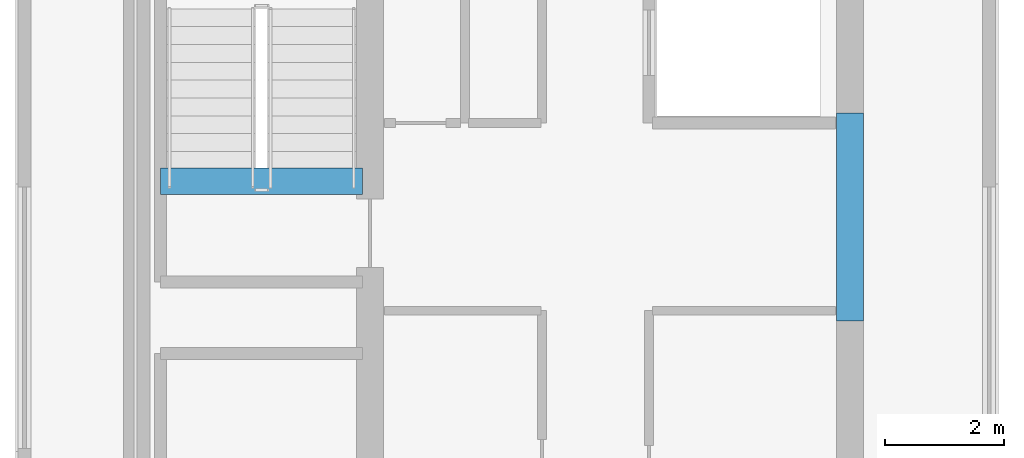
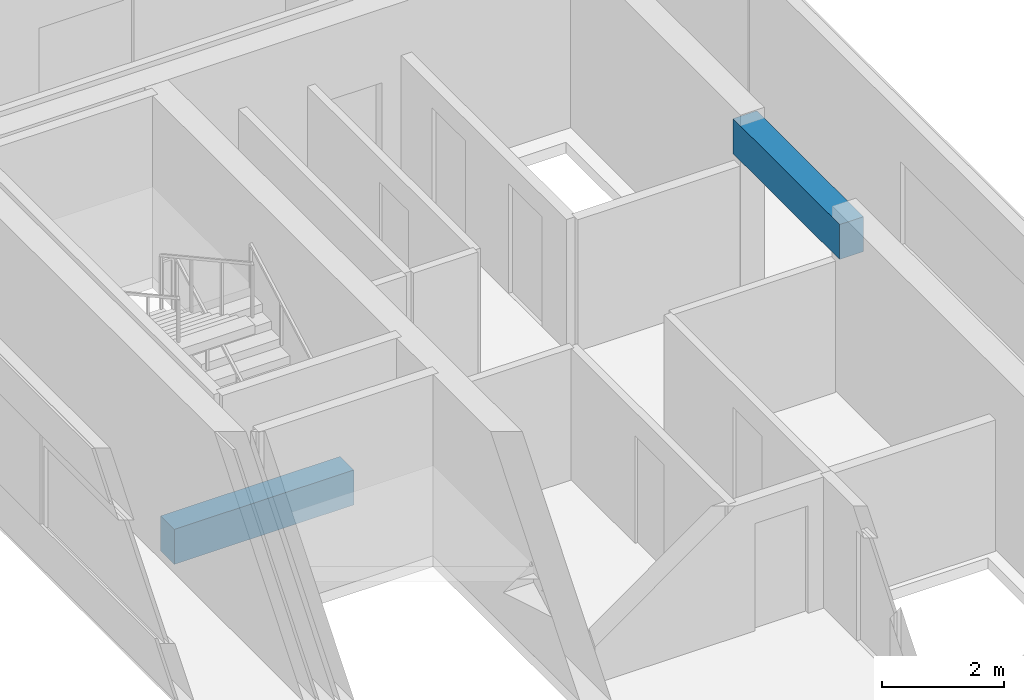
# One storey, part 4 of 28: 2 beams.
"""IFC4 building model written with IfcOpenShell, lengths in metres."""

from ifc_helpers import new_model, si_unit, direction, frame, origin, origin_2d, place, context, subcontext, project, spatial, rectangle, extrude, material, material_profile, profile_set, type_object, element, save


model = new_model("IFC4")

# Units and contexts
model_context = context("Model", 3, precision=1e-05, world=origin(), true_north=direction((0.0, 1.0)))
body_context = subcontext(model_context, "Body", "Model", "MODEL_VIEW")
ifc_project = project(units=[si_unit("LENGTHUNIT", "METRE"), si_unit("AREAUNIT", "SQUARE_METRE"), si_unit("VOLUMEUNIT", "CUBIC_METRE"), si_unit("PLANEANGLEUNIT", "RADIAN"), si_unit("MASSUNIT", "GRAM", prefix="KILO")], contexts=[model_context])

# Site, building, storey
site_placement = place(None, origin())
site = spatial("IfcSite", under=ifc_project, at=site_placement, CompositionType="ELEMENT")
building_placement = place(site_placement, origin())
building = spatial("IfcBuilding", under=site, at=building_placement, Name="Tanjung Sevakor Pilgrim Tower", CompositionType="ELEMENT")
storey_placement = place(building_placement, frame((0.0, 0.0, 242.550048828125)))
storey = spatial("IfcBuildingStorey", under=building, at=storey_placement, Name="L68", CompositionType="ELEMENT", Elevation=242.550048828125)

# Beams
ifc_material = material(Name="Concrete C60/75", Category="concrete")
ifc_material_profile = material_profile(ifc_material, rectangle(XDim=0.449951171875, YDim=0.699951171875, at=origin_2d()))
ifc_profile_set = profile_set([ifc_material_profile], Name="Concrete C60/75")
beam_type = type_object("IfcBeamType", Name="BM-B-LN3-RC-BM_450x700", PredefinedType="LINTEL", material=ifc_profile_set)
beam_1_placement = place(storey_placement, frame((36.0, 33.550048828125, 3.06005859375), z_axis=(0.0, 1.0, 0.0), x_axis=(-1.0, 0.0, 0.0)))
element("IfcBeam", 1, at=beam_1_placement, inside=storey, type_object=beam_type, Name="L68 W Core Coupling Lintel", PredefinedType="LINTEL", context=body_context, shape_type="SweptSolid", body=[
    extrude(rectangle(XDim=0.449951171875, YDim=0.699951171875, at=origin_2d()), origin(), (0.0, 0.0, 1.0), 3.5),
])
beam_2_placement = place(storey_placement, frame((24.39990234375, 35.89990234375, -0.35009765625), z_axis=(1.0, 0.0, 0.0), x_axis=(0.0, 1.0, 0.0)))
element("IfcBeam", 2, at=beam_2_placement, inside=storey, type_object=beam_type, Name="L68 TS-W2 Stair Threshold Beam", PredefinedType="LINTEL", context=body_context, shape_type="SweptSolid", body=[
    extrude(rectangle(XDim=0.449951171875, YDim=0.699951171875, at=origin_2d()), origin(), (0.0, 0.0, 1.0), 3.400146484375),
])

save(model, "model.ifc")
